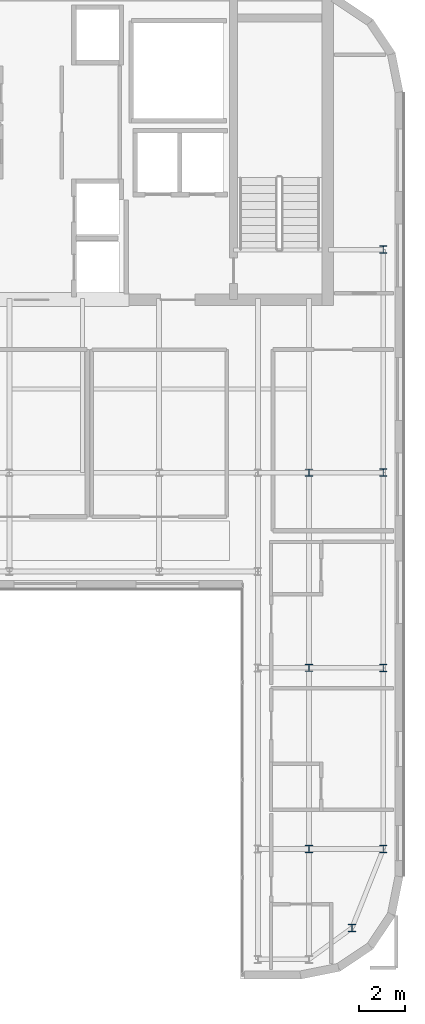
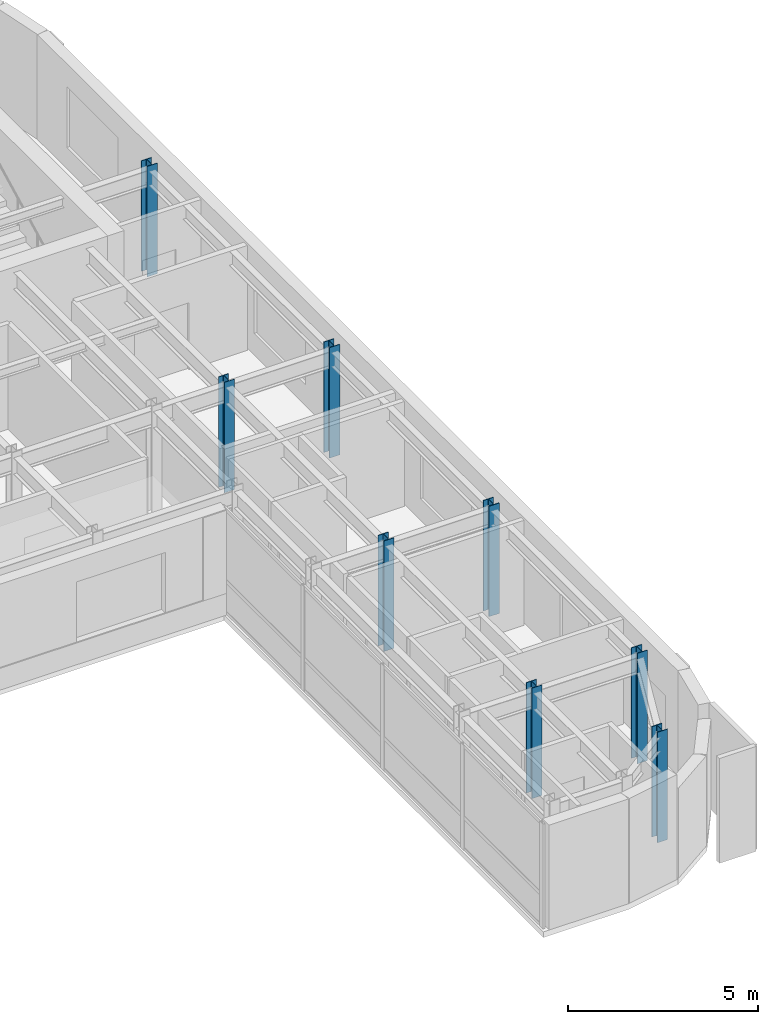
# One storey, part 2 of 21: 8 columns.
"""IFC4 building model written with IfcOpenShell, lengths in metres."""

from ifc_helpers import new_model, si_unit, direction, frame, origin, origin_2d, place, context, subcontext, project, spatial, i_section, extrude, source, transform, mapped, material, material_profile, profile_set, type_object, type_shapes, element, save


model = new_model("IFC4")

# Units and contexts
model_context = context("Model", 3, precision=1e-05, world=origin(), true_north=direction((0.0, 1.0)))
body_context = subcontext(model_context, "Body", "Model", "MODEL_VIEW")
ifc_project = project(units=[si_unit("LENGTHUNIT", "METRE"), si_unit("AREAUNIT", "SQUARE_METRE"), si_unit("VOLUMEUNIT", "CUBIC_METRE"), si_unit("PLANEANGLEUNIT", "RADIAN"), si_unit("MASSUNIT", "GRAM", prefix="KILO")], contexts=[model_context])

# Site, building, storey
site_placement = place(None, origin())
site = spatial("IfcSite", under=ifc_project, at=site_placement, CompositionType="ELEMENT")
building_placement = place(site_placement, origin())
building = spatial("IfcBuilding", under=site, at=building_placement, Name="Tolvann Quenvar Hotel", CompositionType="ELEMENT")
storey_placement = place(building_placement, frame((0.0, 0.0, 255.85009765625)))
storey = spatial("IfcBuildingStorey", under=building, at=storey_placement, Name="L68", CompositionType="ELEMENT", Elevation=255.85009765625)

# Columns
ifc_material = material(Name="Steel Grade 350", Category="steel")
ifc_material_profile_1 = material_profile(ifc_material, i_section(OverallWidth=0.30908203125, OverallDepth=0.321044921875, WebThickness=0.013916015625, FlangeThickness=0.021728515625, FilletRadius=0.0166015625, at=origin_2d()), Name="310UC137")
ifc_profile_set_1 = profile_set([ifc_material_profile_1], Name="Steel Grade 350")
column_type_1 = type_object("IfcColumnType", Name="COL_310UC137", PredefinedType="COLUMN", material=ifc_profile_set_1)
shared_shape_1 = source(origin(), body_context, "Body", "SweptSolid", [
    extrude(i_section(OverallWidth=0.30908203125, OverallDepth=0.321044921875, WebThickness=0.013916015625, FlangeThickness=0.021728515625, FilletRadius=0.0166015625, at=origin_2d()), origin(), (0.0, 0.0, 1.0), 3.5498046875),
])
type_shapes(column_type_1, [shared_shape_1])
for number, where, z_axis, x_axis, name in (
    (1, (36.800048828125, 4.800048828125, 0.0), (0.0, 0.0, 1.0), (1.0, 0.0, 0.0), "Column G2 (L68)"),
    (2, (38.14990234375, 8.199951171875, 0.0), (0.0, 0.0, 1.0), (1.0, 0.0, 0.0), "Column G3 (L68)"),
    (3, (38.14990234375, 16.0, 0.0), (0.0, 0.0, 1.0), (1.0, 0.0, 0.0), "Column G4 (L68)"),
    (4, (38.14990234375, 24.39990234375, 0.0), (0.0, 0.0, 1.0), (1.0, 0.0, 0.0), "Column G5 (L68)"),
    (5, (38.14990234375, 34.0, 0.0), (0.0, 0.0, 1.0), (1.0, 0.0, 0.0), "Column GD6 (L68)"),
):
    element("IfcColumn", number, at=place(storey_placement, frame(where, z_axis=z_axis, x_axis=x_axis)), inside=storey, type_object=column_type_1, Name=name, PredefinedType="COLUMN", context=body_context, shape_type="MappedRepresentation", body=[
        mapped(shared_shape_1, transform((0.0, 0.0, 0.0), x_axis=(1.0, 0.0, 0.0), y_axis=(0.0, 1.0, 0.0), z_axis=(0.0, 0.0, 1.0), scale=1.0)),
    ])
ifc_material_profile_2 = material_profile(ifc_material, i_section(OverallWidth=0.306884765625, OverallDepth=0.31494140625, WebThickness=0.011962890625, FlangeThickness=0.018798828125, FilletRadius=0.0166015625, at=origin_2d()), Name="310UC118")
ifc_profile_set_2 = profile_set([ifc_material_profile_2], Name="Steel Grade 350")
column_type_2 = type_object("IfcColumnType", Name="COL_310UC118", PredefinedType="COLUMN", material=ifc_profile_set_2)
shared_shape_2 = source(origin(), body_context, "Body", "SweptSolid", [
    extrude(i_section(OverallWidth=0.306884765625, OverallDepth=0.31494140625, WebThickness=0.011962890625, FlangeThickness=0.018798828125, FilletRadius=0.0166015625, at=origin_2d()), origin(), (0.0, 0.0, 1.0), 3.5498046875),
])
type_shapes(column_type_2, [shared_shape_2])
for number, where, z_axis, x_axis, name in (
    (6, (34.949951171875, 8.199951171875, 0.0), (0.0, 0.0, 1.0), (1.0, 0.0, 0.0), "Column F3 (L68)"),
    (7, (34.949951171875, 16.0, 0.0), (0.0, 0.0, 1.0), (1.0, 0.0, 0.0), "Column F4 (L68)"),
    (8, (34.949951171875, 24.39990234375, 0.0), (0.0, 0.0, 1.0), (1.0, 0.0, 0.0), "Column F5 (L68)"),
):
    element("IfcColumn", number, at=place(storey_placement, frame(where, z_axis=z_axis, x_axis=x_axis)), inside=storey, type_object=column_type_2, Name=name, PredefinedType="COLUMN", context=body_context, shape_type="MappedRepresentation", body=[
        mapped(shared_shape_2, transform((0.0, 0.0, 0.0), x_axis=(1.0, 0.0, 0.0), y_axis=(0.0, 1.0, 0.0), z_axis=(0.0, 0.0, 1.0), scale=1.0)),
    ])

save(model, "model.ifc")
